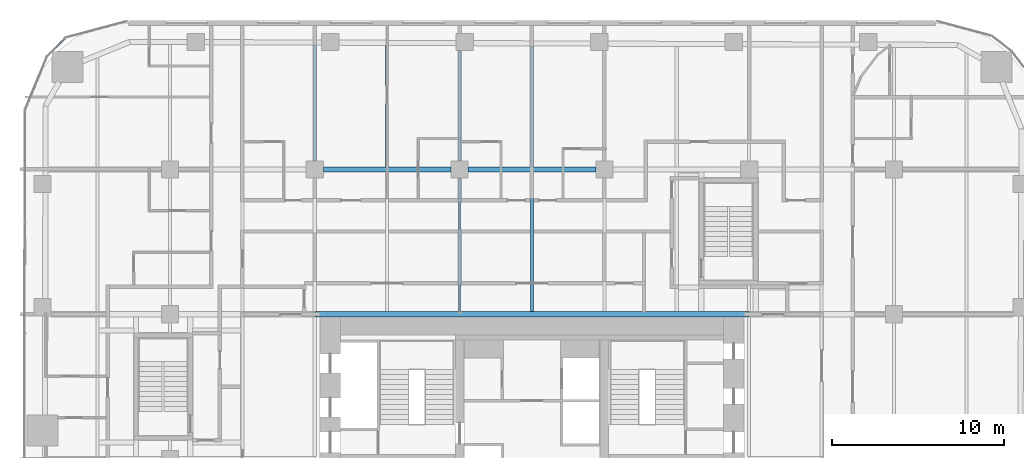
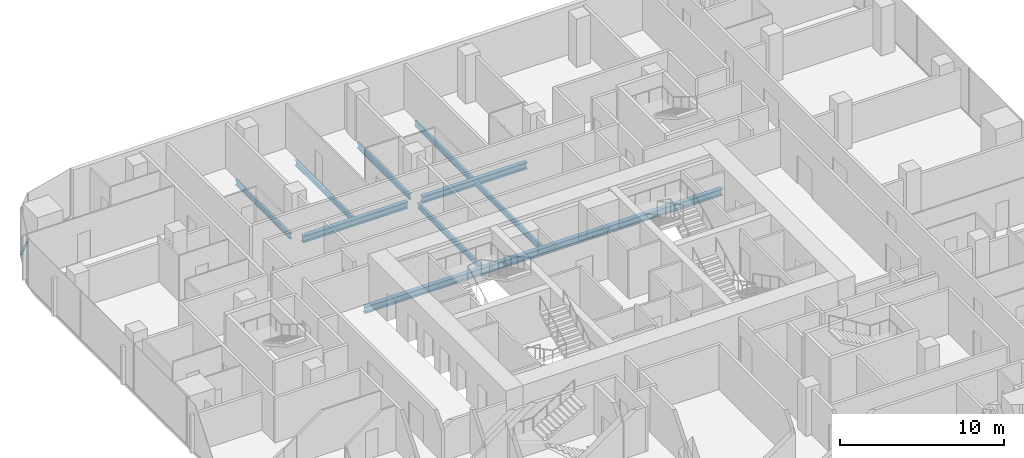
# One storey, part 10 of 27: 9 beams, 1 member, 1 element without a shape of its own.
"""IFC4 building model written with IfcOpenShell, lengths in metres."""

from ifc_helpers import new_model, si_unit, direction, frame, origin, origin_2d, place, context, subcontext, project, spatial, rectangle, i_section, extrude, material, layer, layer_set, material_profile, profile_set, type_object, element, aggregate, save


model = new_model("IFC4")

# Units and contexts
model_context = context("Model", 3, precision=1e-05, world=origin(), true_north=direction((0.0, 1.0)))
body_context = subcontext(model_context, "Body", "Model", "MODEL_VIEW")
ifc_project = project(units=[si_unit("LENGTHUNIT", "METRE"), si_unit("AREAUNIT", "SQUARE_METRE"), si_unit("VOLUMEUNIT", "CUBIC_METRE"), si_unit("PLANEANGLEUNIT", "RADIAN"), si_unit("MASSUNIT", "GRAM", prefix="KILO")], contexts=[model_context])

# Site, building, storey
site_placement = place(None, origin())
site = spatial("IfcSite", under=ifc_project, at=site_placement, CompositionType="ELEMENT")
building_placement = place(site_placement, origin())
building = spatial("IfcBuilding", under=site, at=building_placement, Name="Marenta Gate Hotel Tower", CompositionType="ELEMENT")
storey_placement = place(building_placement, frame((0.0, 0.0, 36.5)))
storey = spatial("IfcBuildingStorey", under=building, at=storey_placement, Name="L06", CompositionType="ELEMENT", Elevation=36.5)

# Beams
ifc_material_1 = material(Name="Steel S355", Category="steel")
ifc_material_profile_1 = material_profile(ifc_material_1, i_section(OverallWidth=0.179931640625, OverallDepth=0.39990234375, WebThickness=0.008544921875, FlangeThickness=0.013427734375, FilletRadius=0.02099609375, at=origin_2d()), Name="IPE 400")
ifc_profile_set_1 = profile_set([ifc_material_profile_1], Name="Steel S355")
beam_type_1 = type_object("IfcBeamType", Name="Floor beam IPE 400", PredefinedType="JOIST", material=ifc_profile_set_1)
beam_1_placement = place(storey_placement, frame((-12.60009765625, 25.699951171875, -0.35009765625), z_axis=(0.0, 1.0, 0.0), x_axis=(-1.0, 0.0, 0.0)))
element("IfcBeam", 1, at=beam_1_placement, inside=storey, type_object=beam_type_1, Name="L06-FB-26", PredefinedType="JOIST", context=body_context, shape_type="SweptSolid", body=[
    extrude(i_section(OverallWidth=0.179931640625, OverallDepth=0.39990234375, WebThickness=0.008544921875, FlangeThickness=0.013427734375, FilletRadius=0.02099609375, at=origin_2d()), origin(), (0.0, 0.0, 1.0), 6.710205078125),
])
beam_2_placement = place(storey_placement, frame((-8.39990234375, 25.35009765625, -0.35009765625), z_axis=(0.0, 1.0, 0.0), x_axis=(-1.0, 0.0, 0.0)))
element("IfcBeam", 2, at=beam_2_placement, inside=storey, type_object=beam_type_1, Name="L06-FB-31", PredefinedType="JOIST", context=body_context, shape_type="SweptSolid", body=[
    extrude(i_section(OverallWidth=0.179931640625, OverallDepth=0.39990234375, WebThickness=0.008544921875, FlangeThickness=0.013427734375, FilletRadius=0.02099609375, at=origin_2d()), origin(), (0.0, 0.0, 1.0), 7.04443359375),
])
beam_3_placement = place(storey_placement, frame((-4.199951171875, 16.949951171875, -0.35009765625), z_axis=(0.0, 1.0, 0.0), x_axis=(-1.0, 0.0, 0.0)))
element("IfcBeam", 3, at=beam_3_placement, inside=storey, type_object=beam_type_1, Name="L06-FB-34", PredefinedType="JOIST", context=body_context, shape_type="SweptSolid", body=[
    extrude(i_section(OverallWidth=0.179931640625, OverallDepth=0.39990234375, WebThickness=0.008544921875, FlangeThickness=0.013427734375, FilletRadius=0.02099609375, at=origin_2d()), origin(), (0.0, 0.0, 1.0), 7.75),
])
beam_4_placement = place(storey_placement, frame((-4.199951171875, 25.699951171875, -0.35009765625), z_axis=(0.0, 1.0, 0.0), x_axis=(-1.0, 0.0, 0.0)))
element("IfcBeam", 4, at=beam_4_placement, inside=storey, type_object=beam_type_1, Name="L06-FB-35", PredefinedType="JOIST", context=body_context, shape_type="SweptSolid", body=[
    extrude(i_section(OverallWidth=0.179931640625, OverallDepth=0.39990234375, WebThickness=0.008544921875, FlangeThickness=0.013427734375, FilletRadius=0.02099609375, at=origin_2d()), origin(), (0.0, 0.0, 1.0), 6.400146484375),
])
beam_5_placement = place(storey_placement, frame((0.0, 16.949951171875, -0.35009765625), z_axis=(0.0, 1.0, 0.0), x_axis=(-1.0, 0.0, 0.0)))
element("IfcBeam", 5, at=beam_5_placement, inside=storey, type_object=beam_type_1, Name="L06-FB-38", PredefinedType="JOIST", context=body_context, shape_type="SweptSolid", body=[
    extrude(i_section(OverallWidth=0.179931640625, OverallDepth=0.39990234375, WebThickness=0.008544921875, FlangeThickness=0.013427734375, FilletRadius=0.02099609375, at=origin_2d()), origin(), (0.0, 0.0, 1.0), 8.10009765625),
])
beam_6_placement = place(storey_placement, frame((0.0, 25.35009765625, -0.35009765625), z_axis=(0.0, 1.0, 0.0), x_axis=(-1.0, 0.0, 0.0)))
element("IfcBeam", 6, at=beam_6_placement, inside=storey, type_object=beam_type_1, Name="L06-FB-39", PredefinedType="JOIST", context=body_context, shape_type="SweptSolid", body=[
    extrude(i_section(OverallWidth=0.179931640625, OverallDepth=0.39990234375, WebThickness=0.008544921875, FlangeThickness=0.013427734375, FilletRadius=0.02099609375, at=origin_2d()), origin(), (0.0, 0.0, 1.0), 7.01318359375),
])
ifc_material_2 = material(Name="Steel S355", Category="steel")
ifc_material_profile_2 = material_profile(ifc_material_2, i_section(OverallWidth=0.300048828125, OverallDepth=0.5, WebThickness=0.014404296875, FlangeThickness=0.028076171875, FilletRadius=0.027099609375, at=origin_2d()), Name="HEB 500")
ifc_profile_set_2 = profile_set([ifc_material_profile_2], Name="Steel S355")
beam_type_2 = type_object("IfcBeamType", Name="Girder HEB 500", PredefinedType="BEAM", material=ifc_profile_set_2)
beam_7_placement = place(storey_placement, frame((-12.60009765625, 16.800048828125, -0.39990234375), z_axis=(1.0, 0.0, 0.0), x_axis=(0.0, 1.0, 0.0)))
element("IfcBeam", 7, at=beam_7_placement, inside=storey, type_object=beam_type_2, Name="L06-GD-19", PredefinedType="BEAM", context=body_context, shape_type="SweptSolid", body=[
    extrude(i_section(OverallWidth=0.300048828125, OverallDepth=0.5, WebThickness=0.014404296875, FlangeThickness=0.028076171875, FilletRadius=0.027099609375, at=origin_2d()), origin(), (0.0, 0.0, 1.0), 25.2001953125),
])
beam_8_placement = place(storey_placement, frame((-12.10009765625, 25.199951171875, -0.39990234375), z_axis=(1.0, 0.0, 0.0), x_axis=(0.0, 1.0, 0.0)))
element("IfcBeam", 8, at=beam_8_placement, inside=storey, type_object=beam_type_2, Name="L06-GD-24", PredefinedType="BEAM", context=body_context, shape_type="SweptSolid", body=[
    extrude(i_section(OverallWidth=0.300048828125, OverallDepth=0.5, WebThickness=0.014404296875, FlangeThickness=0.028076171875, FilletRadius=0.027099609375, at=origin_2d()), origin(), (0.0, 0.0, 1.0), 7.400146484375),
])
beam_9_placement = place(storey_placement, frame((-3.699951171875, 25.199951171875, -0.39990234375), z_axis=(1.0, 0.0, 0.0), x_axis=(0.0, 1.0, 0.0)))
element("IfcBeam", 9, at=beam_9_placement, inside=storey, type_object=beam_type_2, Name="L06-GD-25", PredefinedType="BEAM", context=body_context, shape_type="SweptSolid", body=[
    extrude(i_section(OverallWidth=0.300048828125, OverallDepth=0.5, WebThickness=0.014404296875, FlangeThickness=0.028076171875, FilletRadius=0.027099609375, at=origin_2d()), origin(), (0.0, 0.0, 1.0), 7.39990234375),
])

# Curtain wall, member
ifc_material_3 = material(Name="Tinted insulated glass in bronze anodised frame", Category="glass")
ifc_layer = layer(ifc_material_3, 0.1201171875)
ifc_layer_set = layer_set([ifc_layer], Name="Tinted insulated glass in bronze anodised frame")
curtain_wall_type = type_object("IfcCurtainWallType", Name="Tower unitised curtain wall CW1", PredefinedType="NOTDEFINED", material=ifc_layer_set)
curtain_wall_placement = place(storey_placement, origin())
curtain_wall = element("IfcCurtainWall", 10, at=curtain_wall_placement, inside=storey, type_object=curtain_wall_type, Name="CW1 run G01", PredefinedType="NOTDEFINED")
ifc_material_4 = material(Name="Bronze anodised aluminium", Category="aluminium")
ifc_material_profile_3 = material_profile(ifc_material_4, rectangle(XDim=0.1201171875, YDim=0.06005859375, at=origin_2d()), Name="Transom CW1 60x120 bronze anodised aluminium")
ifc_profile_set_3 = profile_set([ifc_material_profile_3], Name="Bronze anodised aluminium")
member_type = type_object("IfcMemberType", Name="Transom CW1 60x120 bronze anodised aluminium", PredefinedType="USERDEFINED", material=ifc_profile_set_3)
member_placement = place(storey_placement, frame((-27.082275390625, 32.80859375, 0.030029296875), z_axis=(-0.707106781187, -0.707106781187, 0.0), x_axis=(0.707106781187, -0.707106781187, 0.0)))
member = element("IfcMember", 11, at=member_placement, type_object=member_type, Name="CW1 transom 1.1", ObjectType="TRANSOM", PredefinedType="USERDEFINED", context=body_context, shape_type="SweptSolid", body=[
    extrude(rectangle(XDim=0.1201171875, YDim=0.06005859375, at=origin_2d()), origin(), (0.0, 0.0, 1.0), 1.48291015625),
])
aggregate(curtain_wall, [member])

save(model, "model.ifc")
